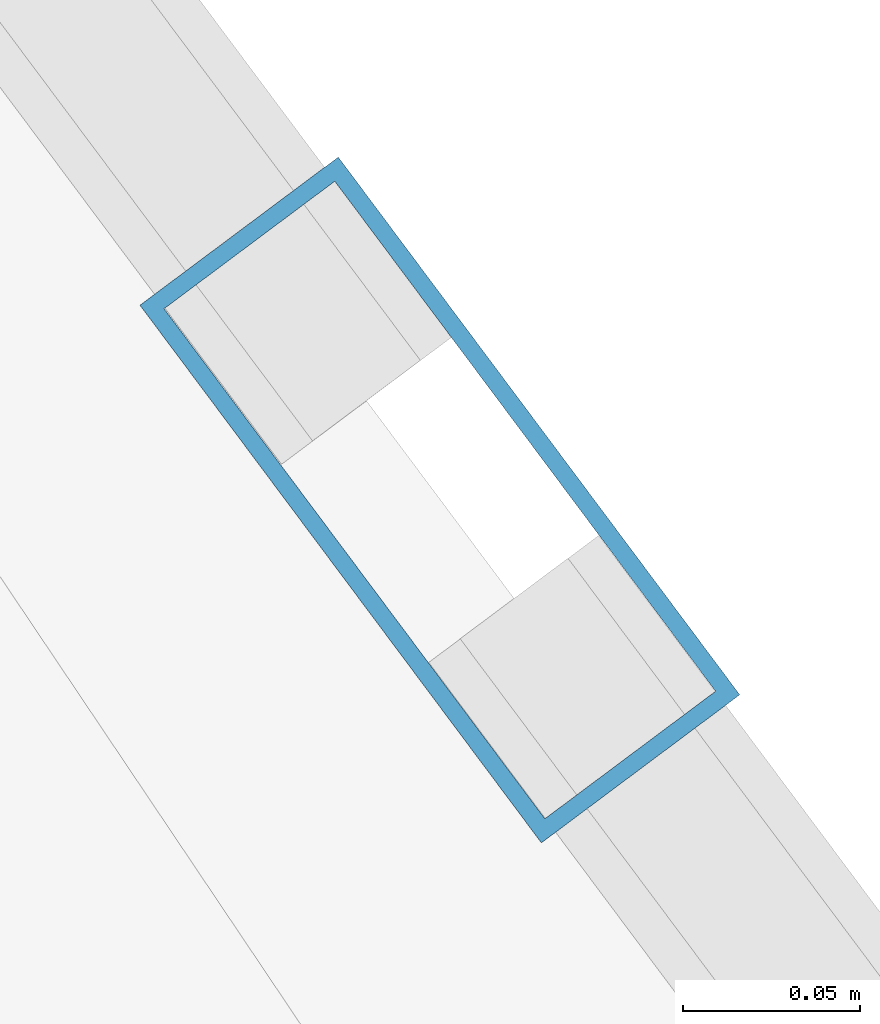
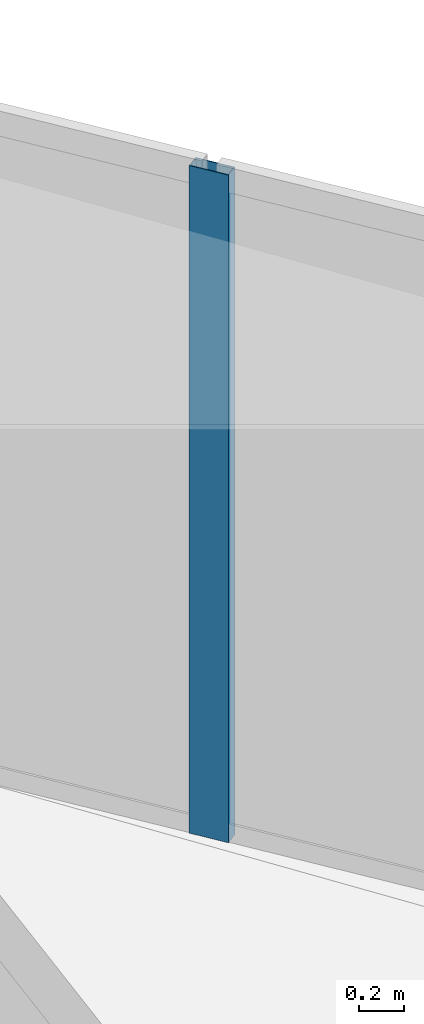
# One storey, part 18 of 25: 1 member, 1 element without a shape of its own.
"""IFC4 building model written with IfcOpenShell, lengths in metres."""

from ifc_helpers import new_model, si_unit, direction, frame, origin, origin_2d, place, context, subcontext, project, spatial, hollow_rectangle, extrude, source, transform, mapped, material, layer, layer_set, material_profile, profile_set, type_object, element, aggregate, save


model = new_model("IFC4")

# Units and contexts
model_context = context("Model", 3, precision=1e-05, world=origin(), true_north=direction((0.0, 1.0)))
body_context = subcontext(model_context, "Body", "Model", "MODEL_VIEW")
ifc_project = project(units=[si_unit("LENGTHUNIT", "METRE"), si_unit("AREAUNIT", "SQUARE_METRE"), si_unit("VOLUMEUNIT", "CUBIC_METRE"), si_unit("PLANEANGLEUNIT", "RADIAN"), si_unit("MASSUNIT", "GRAM", prefix="KILO")], contexts=[model_context])

# Site, building, storey
site_placement = place(None, origin())
site = spatial("IfcSite", under=ifc_project, at=site_placement, CompositionType="ELEMENT")
building_placement = place(site_placement, origin())
building = spatial("IfcBuilding", under=site, at=building_placement, Name="Solvirekh Grand Hotel", CompositionType="ELEMENT")
storey_placement = place(building_placement, frame((0.0, 0.0, 57.199951171875)))
storey = spatial("IfcBuildingStorey", under=building, at=storey_placement, Name="L13", CompositionType="ELEMENT", Elevation=57.199951171875)

# Curtain wall, member
ifc_material = material(Name="Anodized Bronze Aluminium 6063-T6", Category="aluminium")
ifc_layer = layer(ifc_material, 0.18994140625)
ifc_layer_set = layer_set([ifc_layer], Name="Anodized Bronze Aluminium 6063-T6")
curtain_wall_type = type_object("IfcCurtainWallType", Name="CW_Sys2_LowZoneFlushBronzeCW", PredefinedType="NOTDEFINED", material=ifc_layer_set)
curtain_wall_placement = place(storey_placement, origin())
curtain_wall = element("IfcCurtainWall", 1, at=curtain_wall_placement, inside=storey, type_object=curtain_wall_type, Name="L13 unitised bronze-glass curtain wall CW-L13-C03", PredefinedType="NOTDEFINED")
ifc_material_profile = material_profile(ifc_material, hollow_rectangle(XDim=0.070068359375, YDim=0.18994140625, WallThickness=0.0048828125, at=origin_2d()), Name="ALU RHS 190X70X5")
ifc_profile_set = profile_set([ifc_material_profile], Name="Anodized Bronze Aluminium 6063-T6")
member_type = type_object("IfcMemberType", Name="CWMullion_Sys2", PredefinedType="MULLION", material=ifc_profile_set)
shared_shape = source(origin(), body_context, "Body", "SweptSolid", [
    extrude(hollow_rectangle(XDim=0.070068359375, YDim=0.18994140625, WallThickness=0.0048828125, at=origin_2d()), origin(), (0.0, 0.0, 1.0), 3.60009765625),
])
member_placement = place(storey_placement, frame((20.8779296875, 10.31591796875, 0.0), z_axis=(0.0, 0.0, 1.0), x_axis=(-0.801275244667, -0.598295898601, 0.0)))
member = element("IfcMember", 2, at=member_placement, type_object=member_type, Name="U02 mullion 2", PredefinedType="MULLION", context=body_context, shape_type="MappedRepresentation", body=[
    mapped(shared_shape, transform((0.0, 0.0, 0.0), x_axis=(1.0, 0.0, 0.0), y_axis=(0.0, 1.0, 0.0), z_axis=(0.0, 0.0, 1.0), scale=1.0)),
])
aggregate(curtain_wall, [member])

save(model, "model.ifc")
